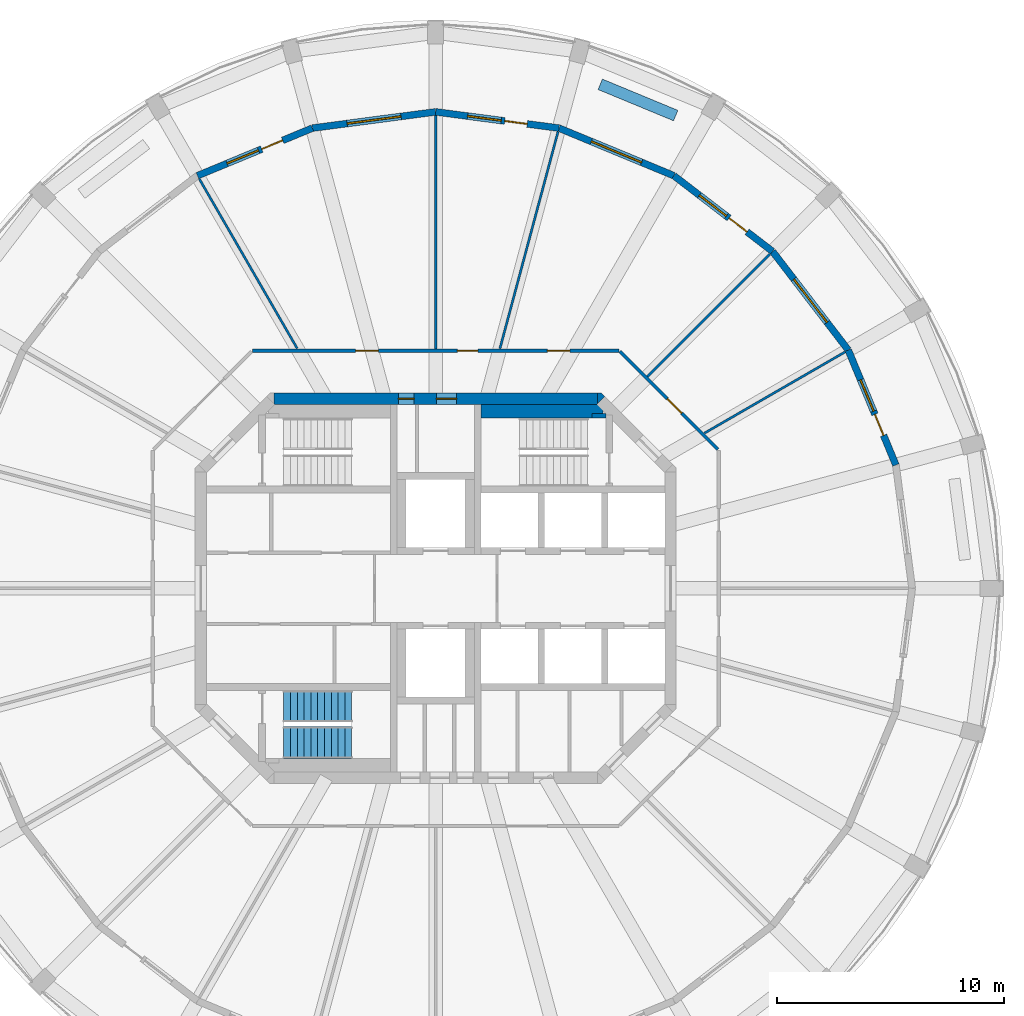
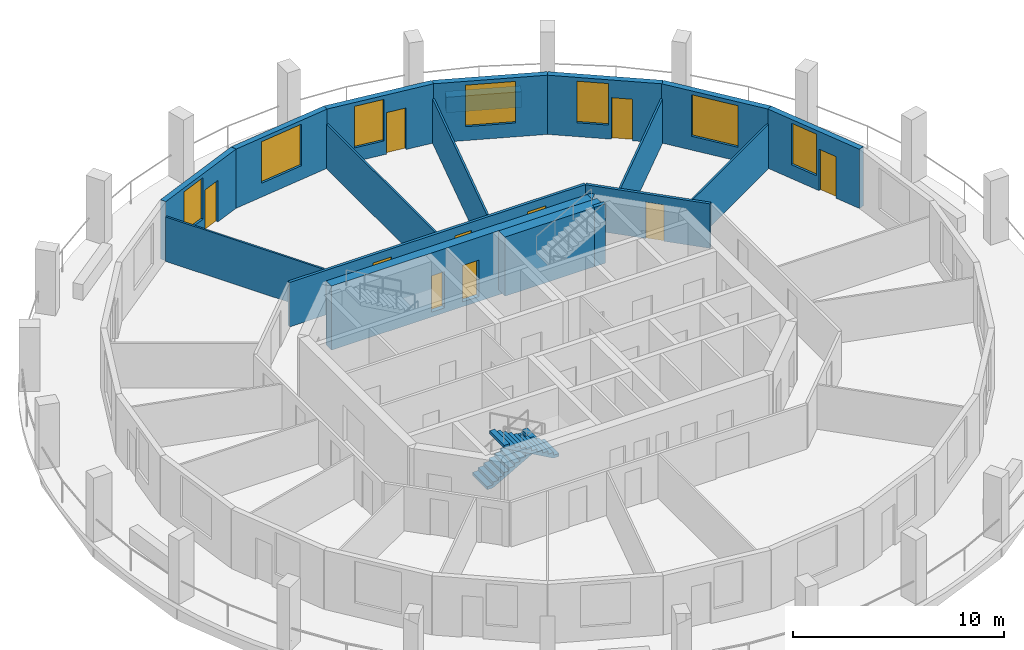
# One storey, part 6 of 9: 19 walls, 10 doors, 7 windows, 2 stair flights, 17 openings, 1 element without a shape of its own.
"""IFC4 building model written with IfcOpenShell, lengths in metres."""

from ifc_helpers import new_model, si_unit, direction, frame, frame_2d, origin, place, context, subcontext, project, spatial, polyline, rectangle, outline, extrude, material, layer, layer_set, type_object, element, fill, aggregate, save


model = new_model("IFC4")

# Units and contexts
model_context = context("Model", 3, precision=1e-05, world=origin(), true_north=direction((0.0, 1.0)))
body_context = subcontext(model_context, "Body", "Model", "MODEL_VIEW")
ifc_project = project(units=[si_unit("LENGTHUNIT", "METRE"), si_unit("AREAUNIT", "SQUARE_METRE"), si_unit("VOLUMEUNIT", "CUBIC_METRE"), si_unit("PLANEANGLEUNIT", "RADIAN"), si_unit("MASSUNIT", "GRAM", prefix="KILO")], contexts=[model_context])

# Site, building, storey
site_placement = place(None, origin())
site = spatial("IfcSite", under=ifc_project, at=site_placement, CompositionType="ELEMENT")
building_placement = place(site_placement, origin())
building = spatial("IfcBuilding", under=site, at=building_placement, Name="Torre Triforio", CompositionType="ELEMENT")
storey_placement = place(building_placement, frame((0.0, 0.0, 264.89990234375)))
storey = spatial("IfcBuildingStorey", under=building, at=storey_placement, Name="L61", CompositionType="ELEMENT", Elevation=264.89990234375)

# Wall, openings, doors
ifc_material_1 = material(Name="Concrete C40", Category="concrete")
ifc_layer_1 = layer(ifc_material_1, 0.5)
ifc_layer_set_1 = layer_set([ifc_layer_1], Name="Concrete C40")
wall_type_1 = type_object("IfcWallType", Name="Core wall 500 mm C40 EI 120", PredefinedType="SHEAR", material=ifc_layer_set_1)
wall_1_placement = place(storey_placement, frame((-7.1298828125, 8.35009765625, -0.27978515625), z_axis=(0.0, 0.0, 1.0), x_axis=(1.0, 0.0, 0.0)))
wall_1 = element("IfcWall", 1, at=wall_1_placement, inside=storey, type_object=wall_type_1, Name="Core wall", PredefinedType="SHEAR", context=body_context, shape_type="SweptSolid", body=[
    extrude(rectangle(XDim=14.259765625, YDim=0.5, at=frame_2d((7.1298828125, 0.0))), origin(), (0.0, 0.0, 1.0), 3.699951171875),
])
opening_1_placement = place(wall_1_placement, frame((5.47998046875, 0.0, 0.280029296875)))
opening_1 = element("IfcOpeningElement", 2, at=opening_1_placement, cuts=wall_1, Name="Opening RISER-N", PredefinedType="OPENING", context=body_context, shape_type="SweptSolid", body=[
    extrude(rectangle(XDim=0.699951171875, YDim=2.10009765625, at=frame_2d((0.35009765625, 1.050048828125))), frame((0.0, 0.260009765625, 0.0), z_axis=(0.0, -1.0, 0.0), x_axis=(1.0, 0.0, 0.0)), (0.0, 0.0, 1.0), 0.52001953125),
])
opening_2_placement = place(wall_1_placement, frame((7.155029296875, 0.0, 0.280029296875)))
opening_2 = element("IfcOpeningElement", 3, at=opening_2_placement, cuts=wall_1, Name="Opening NE-01", PredefinedType="OPENING", context=body_context, shape_type="SweptSolid", body=[
    extrude(rectangle(XDim=0.89990234375, YDim=2.10009765625, at=frame_2d((0.449951171875, 1.050048828125))), frame((0.0, 0.260009765625, 0.0), z_axis=(0.0, -1.0, 0.0), x_axis=(1.0, 0.0, 0.0)), (0.0, 0.0, 1.0), 0.52001953125),
])
ifc_material_2 = material(Name="Hollow metal fire door leaf")
door_type_1 = type_object("IfcDoorType", Name="Riser door 700 x 2100 EI 60", OperationType="NOTDEFINED", PredefinedType="DOOR", material=ifc_material_2)
door_1_placement = place(opening_1_placement, origin())
door_1 = element("IfcDoor", 4, at=door_1_placement, inside=storey, type_object=door_type_1, Name="Core door RISER-N", OperationType="SINGLE_SWING_LEFT", OverallHeight=2.10009765625, OverallWidth=0.699951171875, PredefinedType="DOOR", context=body_context, shape_type="SweptSolid", body=[
    extrude(rectangle(XDim=0.699951171875, YDim=2.10009765625, at=frame_2d((0.35009765625, 1.050048828125))), frame((0.0, 0.02490234375, 0.0), z_axis=(0.0, -1.0, 0.0), x_axis=(1.0, 0.0, 0.0)), (0.0, 0.0, 1.0), 0.050048828125),
])
fill(opening_1, door_1)
door_type_2 = type_object("IfcDoorType", Name="Room door 900 x 2100 EI 60", OperationType="NOTDEFINED", PredefinedType="DOOR", material=ifc_material_2)
door_2_placement = place(opening_2_placement, origin())
door_2 = element("IfcDoor", 5, at=door_2_placement, inside=storey, type_object=door_type_2, Name="Core door NE-01", OperationType="SINGLE_SWING_RIGHT", OverallHeight=2.10009765625, OverallWidth=0.89990234375, PredefinedType="DOOR", context=body_context, shape_type="SweptSolid", body=[
    extrude(rectangle(XDim=0.89990234375, YDim=2.10009765625, at=frame_2d((0.449951171875, 1.050048828125))), frame((0.0, 0.02490234375, 0.0), z_axis=(0.0, -1.0, 0.0), x_axis=(1.0, 0.0, 0.0)), (0.0, 0.0, 1.0), 0.050048828125),
])
fill(opening_2, door_2)

# Wall
wall_2_placement = place(storey_placement, frame((0.0, 0.0, -0.27978515625)))
element("IfcWall", 6, at=wall_2_placement, inside=storey, type_object=wall_type_1, Name="Core wall", PredefinedType="SHEAR", context=body_context, shape_type="SweptSolid", body=[
    extrude(outline(polyline([(7.30712890625, 8.60009765625), (7.45361328125, 8.45361328125), (7.1298828125, 8.1298828125), (7.1298828125, 8.60009765625), (7.30712890625, 8.60009765625)])), origin(), (0.0, 0.0, 1.0), 3.699951171875),
])

# Wall, openings, doors
ifc_material_3 = material(Name="Plasterboard on metal studs")
ifc_layer_2 = layer(ifc_material_3, 0.14990234375)
ifc_layer_set_2 = layer_set([ifc_layer_2], Name="Plasterboard on metal studs")
wall_type_2 = type_object("IfcWallType", Name="Corridor and tenancy wall 150 mm EI 60", PredefinedType="PARTITIONING", material=ifc_layer_set_2)
wall_3_placement = place(storey_placement, frame((-8.083740234375, 10.47509765625, 0.0), z_axis=(0.0, 0.0, 1.0), x_axis=(1.0, 0.0, 0.0)))
wall_3 = element("IfcWall", 7, at=wall_3_placement, inside=storey, type_object=wall_type_2, Name="Partition 6", PredefinedType="PARTITIONING", context=body_context, shape_type="SweptSolid", body=[
    extrude(rectangle(XDim=16.16748046875, YDim=0.14990234375, at=frame_2d((8.083740234375, 0.0))), origin(), (0.0, 0.0, 1.0), 2.570068359375),
])
opening_3_placement = place(wall_3_placement, frame((13.00390625, 0.0, 0.0)))
opening_3 = element("IfcOpeningElement", 8, at=opening_3_placement, cuts=wall_3, Name="Opening E2-09", PredefinedType="OPENING", context=body_context, shape_type="SweptSolid", body=[
    extrude(rectangle(XDim=1.0, YDim=2.10009765625, at=frame_2d((0.5, 1.050048828125))), frame((0.0, 0.0849609375, 0.0), z_axis=(0.0, -1.0, 0.0), x_axis=(1.0, 0.0, 0.0)), (0.0, 0.0, 1.0), 0.169921875),
])
opening_4_placement = place(wall_3_placement, frame((9.0380859375, 0.0, 0.0)))
opening_4 = element("IfcOpeningElement", 9, at=opening_4_placement, cuts=wall_3, Name="Opening E2-10", PredefinedType="OPENING", context=body_context, shape_type="SweptSolid", body=[
    extrude(rectangle(XDim=0.89990234375, YDim=2.10009765625, at=frame_2d((0.449951171875, 1.050048828125))), frame((0.0, 0.0849609375, 0.0), z_axis=(0.0, -1.0, 0.0), x_axis=(1.0, 0.0, 0.0)), (0.0, 0.0, 1.0), 0.169921875),
])
opening_5_placement = place(wall_3_placement, frame((4.555908203125, 0.0, 0.0)))
opening_5 = element("IfcOpeningElement", 10, at=opening_5_placement, cuts=wall_3, Name="Opening E2-11", PredefinedType="OPENING", context=body_context, shape_type="SweptSolid", body=[
    extrude(rectangle(XDim=1.0, YDim=2.10009765625, at=frame_2d((0.5, 1.050048828125))), frame((0.0, 0.0849609375, 0.0), z_axis=(0.0, -1.0, 0.0), x_axis=(1.0, 0.0, 0.0)), (0.0, 0.0, 1.0), 0.169921875),
])
ifc_material_4 = material(Name="Timber", Category="wood")
door_type_3 = type_object("IfcDoorType", Name="Door 1000 x 2100 single leaf EI 30", OperationType="NOTDEFINED", PredefinedType="DOOR", material=ifc_material_4)
door_3_placement = place(opening_3_placement, origin())
door_3 = element("IfcDoor", 11, at=door_3_placement, inside=storey, type_object=door_type_3, Name="Door E2-09", OperationType="SINGLE_SWING_LEFT", OverallHeight=2.10009765625, OverallWidth=1.0, PredefinedType="DOOR", context=body_context, shape_type="SweptSolid", body=[
    extrude(rectangle(XDim=1.0, YDim=2.10009765625, at=frame_2d((0.5, 1.050048828125))), frame((0.0, 0.02490234375, 0.0), z_axis=(0.0, -1.0, 0.0), x_axis=(1.0, 0.0, 0.0)), (0.0, 0.0, 1.0), 0.050048828125),
])
fill(opening_3, door_3)
door_4_placement = place(opening_5_placement, origin())
door_4 = element("IfcDoor", 12, at=door_4_placement, inside=storey, type_object=door_type_3, Name="Door E2-11", OperationType="SINGLE_SWING_LEFT", OverallHeight=2.10009765625, OverallWidth=1.0, PredefinedType="DOOR", context=body_context, shape_type="SweptSolid", body=[
    extrude(rectangle(XDim=1.0, YDim=2.10009765625, at=frame_2d((0.5, 1.050048828125))), frame((0.0, 0.02490234375, 0.0), z_axis=(0.0, -1.0, 0.0), x_axis=(1.0, 0.0, 0.0)), (0.0, 0.0, 1.0), 0.050048828125),
])
fill(opening_5, door_4)
door_type_4 = type_object("IfcDoorType", Name="Door 900 x 2100 single leaf EI 30", OperationType="NOTDEFINED", PredefinedType="DOOR", material=ifc_material_4)
door_5_placement = place(opening_4_placement, origin())
door_5 = element("IfcDoor", 13, at=door_5_placement, inside=storey, type_object=door_type_4, Name="Door E2-10", OperationType="SINGLE_SWING_LEFT", OverallHeight=2.10009765625, OverallWidth=0.89990234375, PredefinedType="DOOR", context=body_context, shape_type="SweptSolid", body=[
    extrude(rectangle(XDim=0.89990234375, YDim=2.10009765625, at=frame_2d((0.449951171875, 1.050048828125))), frame((0.0, 0.02490234375, 0.0), z_axis=(0.0, -1.0, 0.0), x_axis=(1.0, 0.0, 0.0)), (0.0, 0.0, 1.0), 0.050048828125),
])
fill(opening_4, door_5)

# Wall, opening, door
wall_4_placement = place(storey_placement, frame((8.120849609375, 10.43798828125, 0.0), z_axis=(0.0, 0.0, 1.0), x_axis=(0.707106781187, -0.707106781187, 0.0)))
wall_4 = element("IfcWall", 14, at=wall_4_placement, inside=storey, type_object=wall_type_2, Name="Partition 7", PredefinedType="PARTITIONING", context=body_context, shape_type="SweptSolid", body=[
    extrude(rectangle(XDim=6.10546875, YDim=0.14990234375, at=frame_2d((3.052734375, 0.0))), origin(), (0.0, 0.0, 1.0), 2.570068359375),
])
opening_6_placement = place(wall_4_placement, frame((2.947509765625, 0.0, 0.0)))
opening_6 = element("IfcOpeningElement", 15, at=opening_6_placement, cuts=wall_4, Name="Opening E2-08", PredefinedType="OPENING", context=body_context, shape_type="SweptSolid", body=[
    extrude(rectangle(XDim=0.89990234375, YDim=2.10009765625, at=frame_2d((0.449951171875, 1.050048828125))), frame((0.0, 0.0849609375, 0.0), z_axis=(0.0, -1.0, 0.0), x_axis=(1.0, 0.0, 0.0)), (0.0, 0.0, 1.0), 0.169921875),
])
door_6_placement = place(opening_6_placement, origin())
door_6 = element("IfcDoor", 16, at=door_6_placement, inside=storey, type_object=door_type_4, Name="Door E2-08", OperationType="SINGLE_SWING_LEFT", OverallHeight=2.10009765625, OverallWidth=0.89990234375, PredefinedType="DOOR", context=body_context, shape_type="SweptSolid", body=[
    extrude(rectangle(XDim=0.89990234375, YDim=2.10009765625, at=frame_2d((0.449951171875, 1.050048828125))), frame((0.0, 0.02490234375, 0.0), z_axis=(0.0, -1.0, 0.0), x_axis=(1.0, 0.0, 0.0)), (0.0, 0.0, 1.0), 0.050048828125),
])
fill(opening_6, door_6)

# Walls
ifc_layer_3 = layer(ifc_material_3, 0.10009765625)
ifc_layer_set_3 = layer_set([ifc_layer_3], Name="Plasterboard on metal studs")
wall_type_3 = type_object("IfcWallType", Name="Partition 100 mm board on metal studs", PredefinedType="PARTITIONING", material=ifc_layer_set_3)
wall_5_placement = place(storey_placement, frame((11.845947265625, 6.839111328125, 0.0), z_axis=(0.0, 0.0, 1.0), x_axis=(0.866011787705, 0.500023583, 0.0)))
element("IfcWall", 17, at=wall_5_placement, inside=storey, type_object=wall_type_3, Name="Partition 10", PredefinedType="PARTITIONING", context=body_context, shape_type="SweptSolid", body=[
    extrude(rectangle(XDim=7.158447265625, YDim=0.10009765625, at=frame_2d((3.5791015625, 0.0))), origin(), (0.0, 0.0, 1.0), 2.570068359375),
])
wall_6_placement = place(storey_placement, frame((9.33251953125, 9.33251953125, 0.0), z_axis=(0.0, 0.0, 1.0), x_axis=(0.707106781187, 0.707106781187, 0.0)))
element("IfcWall", 18, at=wall_6_placement, inside=storey, type_object=wall_type_3, Name="Partition 11", PredefinedType="PARTITIONING", context=body_context, shape_type="SweptSolid", body=[
    extrude(rectangle(XDim=7.638671875, YDim=0.10009765625, at=frame_2d((3.8193359375, 0.0))), origin(), (0.0, 0.0, 1.0), 2.570068359375),
])
wall_7_placement = place(storey_placement, frame((2.830810546875, 10.564208984375, 0.0), z_axis=(0.0, 0.0, 1.0), x_axis=(0.258795254151, 0.965932200741, 0.0)))
element("IfcWall", 19, at=wall_7_placement, inside=storey, type_object=wall_type_3, Name="Partition 12", PredefinedType="PARTITIONING", context=body_context, shape_type="SweptSolid", body=[
    extrude(rectangle(XDim=9.899658203125, YDim=0.10009765625, at=frame_2d((4.94970703125, 0.0))), origin(), (0.0, 0.0, 1.0), 2.570068359375),
])
wall_8_placement = place(storey_placement, frame((0.0, 10.550048828125, 0.0), z_axis=(0.0, 0.0, 1.0), x_axis=(0.0, 1.0, 0.0)))
element("IfcWall", 20, at=wall_8_placement, inside=storey, type_object=wall_type_3, Name="Partition 13", PredefinedType="PARTITIONING", context=body_context, shape_type="SweptSolid", body=[
    extrude(rectangle(XDim=10.28662109375, YDim=0.10009765625, at=frame_2d((5.143310546875, 0.0))), origin(), (0.0, 0.0, 1.0), 2.570068359375),
])
wall_9_placement = place(storey_placement, frame((-6.105224609375, 10.57470703125, 0.0), z_axis=(0.0, 0.0, 1.0), x_axis=(-0.50001399067, 0.866017326117, 0.0)))
element("IfcWall", 21, at=wall_9_placement, inside=storey, type_object=wall_type_3, Name="Partition 14", PredefinedType="PARTITIONING", context=body_context, shape_type="SweptSolid", body=[
    extrude(rectangle(XDim=8.626220703125, YDim=0.10009765625, at=frame_2d((4.31298828125, 0.0))), origin(), (0.0, 0.0, 1.0), 2.570068359375),
])
ifc_material_5 = material(Name="Limestone cladding", Category="masonry")
ifc_layer_4 = layer(ifc_material_5, 0.10009765625)
ifc_layer_5 = layer(ifc_material_1, 0.39990234375)
ifc_layer_set_4 = layer_set([ifc_layer_4, ifc_layer_5], Name="Limestone cladding / Concrete C40")
wall_type_4 = type_object("IfcWallType", Name="Planter wall 500", PredefinedType="PARAPET", material=ifc_layer_set_4)
wall_10_placement = place(storey_placement, frame((10.57958984375, 20.837646484375, 0.0), z_axis=(0.0, 0.0, 1.0), x_axis=(-0.923909393783, 0.382611332921, 0.0)))
element("IfcWall", 22, at=wall_10_placement, inside=storey, type_object=wall_type_4, Name="Planter L61 bay 05", PredefinedType="PARAPET", context=body_context, shape_type="SweptSolid", body=[
    extrude(rectangle(XDim=3.60009765625, YDim=0.5, at=frame_2d((1.800048828125, 0.0))), origin(), (0.0, 0.0, 1.0), 0.900146484375),
])
ifc_layer_6 = layer(ifc_material_1, 0.199951171875)
ifc_layer_set_5 = layer_set([ifc_layer_6], Name="Concrete C40")
wall_type_5 = type_object("IfcWallType", Name="Stair wall 200 mm C40 EI 120", PredefinedType="SHEAR", material=ifc_layer_set_5)
wall_11_placement = place(storey_placement, frame((6.89990234375, 7.60009765625, 0.0), z_axis=(0.0, 0.0, 1.0), x_axis=(1.0, 0.0, 0.0)))
element("IfcWall", 23, at=wall_11_placement, inside=storey, type_object=wall_type_5, Name="Stair wall", PredefinedType="SHEAR", context=body_context, shape_type="SweptSolid", body=[
    extrude(rectangle(XDim=0.60009765625, YDim=0.199951171875, at=frame_2d((0.300048828125, 0.0))), origin(), (0.0, 0.0, 1.0), 3.420166015625),
])
ifc_layer_7 = layer(ifc_material_1, 0.60009765625)
ifc_layer_set_6 = layer_set([ifc_layer_7], Name="Concrete C40")
wall_type_6 = type_object("IfcWallType", Name="Stair wall 600 mm C40 EI 120", PredefinedType="SHEAR", material=ifc_layer_set_6)
wall_12_placement = place(storey_placement, frame((2.0, 7.800048828125, 0.0), z_axis=(0.0, 0.0, 1.0), x_axis=(1.0, 0.0, 0.0)))
element("IfcWall", 24, at=wall_12_placement, inside=storey, type_object=wall_type_6, Name="Stair wall", PredefinedType="SHEAR", context=body_context, shape_type="SweptSolid", body=[
    extrude(rectangle(XDim=5.3701171875, YDim=0.60009765625, at=frame_2d((2.68505859375, 0.0))), origin(), (0.0, 0.0, 1.0), 3.420166015625),
])

# Wall, openings, door, window
ifc_layer_8 = layer(ifc_material_5, 0.10009765625)
ifc_layer_9 = layer(ifc_material_1, 0.199951171875)
ifc_layer_set_7 = layer_set([ifc_layer_8, ifc_layer_9], Name="Limestone cladding / Concrete C40")
wall_type_7 = type_object("IfcWallType", Name="Stone-faced composite wall 300", PredefinedType="STANDARD", material=ifc_layer_set_7)
wall_13_placement = place(storey_placement, frame((20.284423828125, 5.435302734375, 0.0), z_axis=(0.0, 0.0, 1.0), x_axis=(-0.382688740813, 0.923877333662, 0.0)))
wall_13 = element("IfcWall", 25, at=wall_13_placement, inside=storey, type_object=wall_type_7, Name="External wall L61 bay 02", PredefinedType="STANDARD", context=body_context, shape_type="SweptSolid", body=[
    extrude(rectangle(XDim=5.48193359375, YDim=0.300048828125, at=frame_2d((2.740966796875, 0.0))), origin(), (0.0, 0.0, 1.0), 3.420166015625),
])
opening_7_placement = place(wall_13_placement, frame((1.416015625, 0.0, 0.0)))
opening_7 = element("IfcOpeningElement", 26, at=opening_7_placement, cuts=wall_13, Name="Opening E2-D02", PredefinedType="OPENING", context=body_context, shape_type="SweptSolid", body=[
    extrude(rectangle(XDim=1.0, YDim=2.39990234375, at=frame_2d((0.5, 1.199951171875))), frame((0.0, 0.159912109375, 0.0), z_axis=(0.0, -1.0, 0.0), x_axis=(1.0, 0.0, 0.0)), (0.0, 0.0, 1.0), 0.320068359375),
])
opening_8_placement = place(wall_13_placement, frame((2.566162109375, 0.0, 0.800048828125)))
opening_8 = element("IfcOpeningElement", 27, at=opening_8_placement, cuts=wall_13, Name="Opening E2-W02A", PredefinedType="OPENING", context=body_context, shape_type="SweptSolid", body=[
    extrude(rectangle(XDim=1.5, YDim=2.39990234375, at=frame_2d((0.75, 1.199951171875))), frame((0.0, 0.159912109375, 0.0), z_axis=(0.0, -1.0, 0.0), x_axis=(1.0, 0.0, 0.0)), (0.0, 0.0, 1.0), 0.320068359375),
])
ifc_material_6 = material(Name="Aluminium frame with clear double glazing", Category="aluminium")
door_type_5 = type_object("IfcDoorType", Name="Loggia door 1000 x 2400", OperationType="NOTDEFINED", PredefinedType="DOOR", material=ifc_material_6)
door_7_placement = place(opening_7_placement, origin())
door_7 = element("IfcDoor", 28, at=door_7_placement, inside=storey, type_object=door_type_5, Name="Loggia door L61 bay 02", OperationType="SINGLE_SWING_LEFT", OverallHeight=2.39990234375, OverallWidth=1.0, PredefinedType="DOOR", context=body_context, shape_type="SweptSolid", body=[
    extrude(rectangle(XDim=1.0, YDim=2.39990234375, at=frame_2d((0.5, 1.199951171875))), frame((0.0, 0.02490234375, 0.0), z_axis=(0.0, -1.0, 0.0), x_axis=(1.0, 0.0, 0.0)), (0.0, 0.0, 1.0), 0.050048828125),
])
fill(opening_7, door_7)
window_type_1 = type_object("IfcWindowType", Name="Side window 1500 x 2400", PartitioningType="SINGLE_PANEL", PredefinedType="WINDOW", material=ifc_material_6)
window_1_placement = place(opening_8_placement, origin())
window_1 = element("IfcWindow", 29, at=window_1_placement, inside=storey, type_object=window_type_1, Name="Side window EWN14 L61 bay 02", OverallHeight=2.39990234375, OverallWidth=1.5, PartitioningType="SINGLE_PANEL", PredefinedType="WINDOW", context=body_context, shape_type="SweptSolid", body=[
    extrude(rectangle(XDim=1.5, YDim=2.39990234375, at=frame_2d((0.75, 1.199951171875))), frame((0.0, 0.030029296875, 0.0), z_axis=(0.0, -1.0, 0.0), x_axis=(1.0, 0.0, 0.0)), (0.0, 0.0, 1.0), 0.06005859375),
])
fill(opening_8, window_1)

# Wall, opening, window
wall_14_placement = place(storey_placement, frame((18.1865234375, 10.5, 0.0), z_axis=(0.0, 0.0, 1.0), x_axis=(-0.608784891166, 0.793335336593, 0.0)))
wall_14 = element("IfcWall", 30, at=wall_14_placement, inside=storey, type_object=wall_type_7, Name="External wall L61 bay 03", PredefinedType="STANDARD", context=body_context, shape_type="SweptSolid", body=[
    extrude(rectangle(XDim=5.482177734375, YDim=0.300048828125, at=frame_2d((2.7412109375, 0.0))), origin(), (0.0, 0.0, 1.0), 3.420166015625),
])
opening_9_placement = place(wall_14_placement, frame((1.541015625, 0.0, 0.800048828125)))
opening_9 = element("IfcOpeningElement", 31, at=opening_9_placement, cuts=wall_14, Name="Opening E2-W03", PredefinedType="OPENING", context=body_context, shape_type="SweptSolid", body=[
    extrude(rectangle(XDim=2.39990234375, YDim=2.39990234375, at=frame_2d((1.199951171875, 1.199951171875))), frame((0.0, 0.159912109375, 0.0), z_axis=(0.0, -1.0, 0.0), x_axis=(1.0, 0.0, 0.0)), (0.0, 0.0, 1.0), 0.320068359375),
])
window_type_2 = type_object("IfcWindowType", Name="Punched window 2400 x 2400", PartitioningType="DOUBLE_PANEL_VERTICAL", PredefinedType="WINDOW", material=ifc_material_6)
window_2_placement = place(opening_9_placement, origin())
window_2 = element("IfcWindow", 32, at=window_2_placement, inside=storey, type_object=window_type_2, Name="Window EWN4 L61 bay 03", OverallHeight=2.39990234375, OverallWidth=2.39990234375, PartitioningType="SINGLE_PANEL", PredefinedType="WINDOW", context=body_context, shape_type="SweptSolid", body=[
    extrude(rectangle(XDim=2.39990234375, YDim=2.39990234375, at=frame_2d((1.199951171875, 1.199951171875))), frame((0.0, 0.030029296875, 0.0), z_axis=(0.0, -1.0, 0.0), x_axis=(1.0, 0.0, 0.0)), (0.0, 0.0, 1.0), 0.06005859375),
])
fill(opening_9, window_2)

# Wall, openings, door, window
wall_15_placement = place(storey_placement, frame((14.84912109375, 14.84912109375, 0.0), z_axis=(0.0, 0.0, 1.0), x_axis=(-0.793335336593, 0.608784891166, 0.0)))
wall_15 = element("IfcWall", 33, at=wall_15_placement, inside=storey, type_object=wall_type_7, Name="External wall L61 bay 04", PredefinedType="STANDARD", context=body_context, shape_type="SweptSolid", body=[
    extrude(rectangle(XDim=5.482177734375, YDim=0.300048828125, at=frame_2d((2.7412109375, 0.0))), origin(), (0.0, 0.0, 1.0), 3.420166015625),
])
opening_10_placement = place(wall_15_placement, frame((1.416015625, 0.0, 0.0)))
opening_10 = element("IfcOpeningElement", 34, at=opening_10_placement, cuts=wall_15, Name="Opening E2-D04", PredefinedType="OPENING", context=body_context, shape_type="SweptSolid", body=[
    extrude(rectangle(XDim=1.0, YDim=2.39990234375, at=frame_2d((0.5, 1.199951171875))), frame((0.0, 0.159912109375, 0.0), z_axis=(0.0, -1.0, 0.0), x_axis=(1.0, 0.0, 0.0)), (0.0, 0.0, 1.0), 0.320068359375),
])
opening_11_placement = place(wall_15_placement, frame((2.56591796875, 0.0, 0.800048828125)))
opening_11 = element("IfcOpeningElement", 35, at=opening_11_placement, cuts=wall_15, Name="Opening E2-W04A", PredefinedType="OPENING", context=body_context, shape_type="SweptSolid", body=[
    extrude(rectangle(XDim=1.5, YDim=2.39990234375, at=frame_2d((0.75, 1.199951171875))), frame((0.0, 0.159912109375, 0.0), z_axis=(0.0, -1.0, 0.0), x_axis=(1.0, 0.0, 0.0)), (0.0, 0.0, 1.0), 0.320068359375),
])
door_8_placement = place(opening_10_placement, origin())
door_8 = element("IfcDoor", 36, at=door_8_placement, inside=storey, type_object=door_type_5, Name="Loggia door L61 bay 04", OperationType="SINGLE_SWING_LEFT", OverallHeight=2.39990234375, OverallWidth=1.0, PredefinedType="DOOR", context=body_context, shape_type="SweptSolid", body=[
    extrude(rectangle(XDim=1.0, YDim=2.39990234375, at=frame_2d((0.5, 1.199951171875))), frame((0.0, 0.02490234375, 0.0), z_axis=(0.0, -1.0, 0.0), x_axis=(1.0, 0.0, 0.0)), (0.0, 0.0, 1.0), 0.050048828125),
])
fill(opening_10, door_8)
window_3_placement = place(opening_11_placement, origin())
window_3 = element("IfcWindow", 37, at=window_3_placement, inside=storey, type_object=window_type_1, Name="Side window EWN14 L61 bay 04", OverallHeight=2.39990234375, OverallWidth=1.5, PartitioningType="SINGLE_PANEL", PredefinedType="WINDOW", context=body_context, shape_type="SweptSolid", body=[
    extrude(rectangle(XDim=1.5, YDim=2.39990234375, at=frame_2d((0.75, 1.199951171875))), frame((0.0, 0.030029296875, 0.0), z_axis=(0.0, -1.0, 0.0), x_axis=(1.0, 0.0, 0.0)), (0.0, 0.0, 1.0), 0.06005859375),
])
fill(opening_11, window_3)

# Wall, opening, window
wall_16_placement = place(storey_placement, frame((10.5, 18.1865234375, 0.0), z_axis=(0.0, 0.0, 1.0), x_axis=(-0.923877333662, 0.382688740813, 0.0)))
wall_16 = element("IfcWall", 38, at=wall_16_placement, inside=storey, type_object=wall_type_7, Name="External wall L61 bay 05", PredefinedType="STANDARD", context=body_context, shape_type="SweptSolid", body=[
    extrude(rectangle(XDim=5.48193359375, YDim=0.300048828125, at=frame_2d((2.740966796875, 0.0))), origin(), (0.0, 0.0, 1.0), 3.420166015625),
])
opening_12_placement = place(wall_16_placement, frame((1.541015625, 0.0, 0.800048828125)))
opening_12 = element("IfcOpeningElement", 39, at=opening_12_placement, cuts=wall_16, Name="Opening E2-W05", PredefinedType="OPENING", context=body_context, shape_type="SweptSolid", body=[
    extrude(rectangle(XDim=2.39990234375, YDim=2.39990234375, at=frame_2d((1.199951171875, 1.199951171875))), frame((0.0, 0.159912109375, 0.0), z_axis=(0.0, -1.0, 0.0), x_axis=(1.0, 0.0, 0.0)), (0.0, 0.0, 1.0), 0.320068359375),
])
window_4_placement = place(opening_12_placement, origin())
window_4 = element("IfcWindow", 40, at=window_4_placement, inside=storey, type_object=window_type_2, Name="Window EWN4 L61 bay 05", OverallHeight=2.39990234375, OverallWidth=2.39990234375, PartitioningType="SINGLE_PANEL", PredefinedType="WINDOW", context=body_context, shape_type="SweptSolid", body=[
    extrude(rectangle(XDim=2.39990234375, YDim=2.39990234375, at=frame_2d((1.199951171875, 1.199951171875))), frame((0.0, 0.030029296875, 0.0), z_axis=(0.0, -1.0, 0.0), x_axis=(1.0, 0.0, 0.0)), (0.0, 0.0, 1.0), 0.06005859375),
])
fill(opening_12, window_4)

# Wall, openings, door, window
wall_17_placement = place(storey_placement, frame((5.435302734375, 20.284423828125, 0.0), z_axis=(0.0, 0.0, 1.0), x_axis=(-0.991444743541, 0.130527087244, 0.0)))
wall_17 = element("IfcWall", 41, at=wall_17_placement, inside=storey, type_object=wall_type_7, Name="External wall L61 bay 06", PredefinedType="STANDARD", context=body_context, shape_type="SweptSolid", body=[
    extrude(rectangle(XDim=5.482177734375, YDim=0.300048828125, at=frame_2d((2.7412109375, 0.0))), origin(), (0.0, 0.0, 1.0), 3.420166015625),
])
opening_13_placement = place(wall_17_placement, frame((1.416015625, 0.0, 0.0)))
opening_13 = element("IfcOpeningElement", 42, at=opening_13_placement, cuts=wall_17, Name="Opening E2-D06", PredefinedType="OPENING", context=body_context, shape_type="SweptSolid", body=[
    extrude(rectangle(XDim=1.0, YDim=2.39990234375, at=frame_2d((0.5, 1.199951171875))), frame((0.0, 0.159912109375, 0.0), z_axis=(0.0, -1.0, 0.0), x_axis=(1.0, 0.0, 0.0)), (0.0, 0.0, 1.0), 0.320068359375),
])
opening_14_placement = place(wall_17_placement, frame((2.566162109375, 0.0, 0.800048828125)))
opening_14 = element("IfcOpeningElement", 43, at=opening_14_placement, cuts=wall_17, Name="Opening E2-W06A", PredefinedType="OPENING", context=body_context, shape_type="SweptSolid", body=[
    extrude(rectangle(XDim=1.5, YDim=2.39990234375, at=frame_2d((0.75, 1.199951171875))), frame((0.0, 0.159912109375, 0.0), z_axis=(0.0, -1.0, 0.0), x_axis=(1.0, 0.0, 0.0)), (0.0, 0.0, 1.0), 0.320068359375),
])
door_9_placement = place(opening_13_placement, origin())
door_9 = element("IfcDoor", 44, at=door_9_placement, inside=storey, type_object=door_type_5, Name="Loggia door L61 bay 06", OperationType="SINGLE_SWING_LEFT", OverallHeight=2.39990234375, OverallWidth=1.0, PredefinedType="DOOR", context=body_context, shape_type="SweptSolid", body=[
    extrude(rectangle(XDim=1.0, YDim=2.39990234375, at=frame_2d((0.5, 1.199951171875))), frame((0.0, 0.02490234375, 0.0), z_axis=(0.0, -1.0, 0.0), x_axis=(1.0, 0.0, 0.0)), (0.0, 0.0, 1.0), 0.050048828125),
])
fill(opening_13, door_9)
window_5_placement = place(opening_14_placement, origin())
window_5 = element("IfcWindow", 45, at=window_5_placement, inside=storey, type_object=window_type_1, Name="Side window EWN14 L61 bay 06", OverallHeight=2.39990234375, OverallWidth=1.5, PartitioningType="SINGLE_PANEL", PredefinedType="WINDOW", context=body_context, shape_type="SweptSolid", body=[
    extrude(rectangle(XDim=1.5, YDim=2.39990234375, at=frame_2d((0.75, 1.199951171875))), frame((0.0, 0.030029296875, 0.0), z_axis=(0.0, -1.0, 0.0), x_axis=(1.0, 0.0, 0.0)), (0.0, 0.0, 1.0), 0.06005859375),
])
fill(opening_14, window_5)

# Wall, opening, window
wall_18_placement = place(storey_placement, frame((0.0, 21.0, 0.0), z_axis=(0.0, 0.0, 1.0), x_axis=(-0.991444743541, -0.130527087244, 0.0)))
wall_18 = element("IfcWall", 46, at=wall_18_placement, inside=storey, type_object=wall_type_7, Name="External wall L61 bay 07", PredefinedType="STANDARD", context=body_context, shape_type="SweptSolid", body=[
    extrude(rectangle(XDim=5.482177734375, YDim=0.300048828125, at=frame_2d((2.7412109375, 0.0))), origin(), (0.0, 0.0, 1.0), 3.420166015625),
])
opening_15_placement = place(wall_18_placement, frame((1.541015625, 0.0, 0.800048828125)))
opening_15 = element("IfcOpeningElement", 47, at=opening_15_placement, cuts=wall_18, Name="Opening E2-W07", PredefinedType="OPENING", context=body_context, shape_type="SweptSolid", body=[
    extrude(rectangle(XDim=2.39990234375, YDim=2.39990234375, at=frame_2d((1.199951171875, 1.199951171875))), frame((0.0, 0.159912109375, 0.0), z_axis=(0.0, -1.0, 0.0), x_axis=(1.0, 0.0, 0.0)), (0.0, 0.0, 1.0), 0.320068359375),
])
window_6_placement = place(opening_15_placement, origin())
window_6 = element("IfcWindow", 48, at=window_6_placement, inside=storey, type_object=window_type_2, Name="Window EWN4 L61 bay 07", OverallHeight=2.39990234375, OverallWidth=2.39990234375, PartitioningType="SINGLE_PANEL", PredefinedType="WINDOW", context=body_context, shape_type="SweptSolid", body=[
    extrude(rectangle(XDim=2.39990234375, YDim=2.39990234375, at=frame_2d((1.199951171875, 1.199951171875))), frame((0.0, 0.030029296875, 0.0), z_axis=(0.0, -1.0, 0.0), x_axis=(1.0, 0.0, 0.0)), (0.0, 0.0, 1.0), 0.06005859375),
])
fill(opening_15, window_6)

# Wall, openings, door, window
wall_19_placement = place(storey_placement, frame((-5.435302734375, 20.284423828125, 0.0), z_axis=(0.0, 0.0, 1.0), x_axis=(-0.923877333662, -0.382688740813, 0.0)))
wall_19 = element("IfcWall", 49, at=wall_19_placement, inside=storey, type_object=wall_type_7, Name="External wall L61 bay 08", PredefinedType="STANDARD", context=body_context, shape_type="SweptSolid", body=[
    extrude(rectangle(XDim=5.48193359375, YDim=0.300048828125, at=frame_2d((2.740966796875, 0.0))), origin(), (0.0, 0.0, 1.0), 3.420166015625),
])
opening_16_placement = place(wall_19_placement, frame((1.416015625, 0.0, 0.0)))
opening_16 = element("IfcOpeningElement", 50, at=opening_16_placement, cuts=wall_19, Name="Opening E2-D08", PredefinedType="OPENING", context=body_context, shape_type="SweptSolid", body=[
    extrude(rectangle(XDim=1.0, YDim=2.39990234375, at=frame_2d((0.5, 1.199951171875))), frame((0.0, 0.159912109375, 0.0), z_axis=(0.0, -1.0, 0.0), x_axis=(1.0, 0.0, 0.0)), (0.0, 0.0, 1.0), 0.320068359375),
])
opening_17_placement = place(wall_19_placement, frame((2.566162109375, 0.0, 0.800048828125)))
opening_17 = element("IfcOpeningElement", 51, at=opening_17_placement, cuts=wall_19, Name="Opening E2-W08A", PredefinedType="OPENING", context=body_context, shape_type="SweptSolid", body=[
    extrude(rectangle(XDim=1.5, YDim=2.39990234375, at=frame_2d((0.75, 1.199951171875))), frame((0.0, 0.159912109375, 0.0), z_axis=(0.0, -1.0, 0.0), x_axis=(1.0, 0.0, 0.0)), (0.0, 0.0, 1.0), 0.320068359375),
])
door_10_placement = place(opening_16_placement, origin())
door_10 = element("IfcDoor", 52, at=door_10_placement, inside=storey, type_object=door_type_5, Name="Loggia door L61 bay 08", OperationType="SINGLE_SWING_LEFT", OverallHeight=2.39990234375, OverallWidth=1.0, PredefinedType="DOOR", context=body_context, shape_type="SweptSolid", body=[
    extrude(rectangle(XDim=1.0, YDim=2.39990234375, at=frame_2d((0.5, 1.199951171875))), frame((0.0, 0.02490234375, 0.0), z_axis=(0.0, -1.0, 0.0), x_axis=(1.0, 0.0, 0.0)), (0.0, 0.0, 1.0), 0.050048828125),
])
fill(opening_16, door_10)
window_7_placement = place(opening_17_placement, origin())
window_7 = element("IfcWindow", 53, at=window_7_placement, inside=storey, type_object=window_type_1, Name="Side window EWN14 L61 bay 08", OverallHeight=2.39990234375, OverallWidth=1.5, PartitioningType="SINGLE_PANEL", PredefinedType="WINDOW", context=body_context, shape_type="SweptSolid", body=[
    extrude(rectangle(XDim=1.5, YDim=2.39990234375, at=frame_2d((0.75, 1.199951171875))), frame((0.0, 0.030029296875, 0.0), z_axis=(0.0, -1.0, 0.0), x_axis=(1.0, 0.0, 0.0)), (0.0, 0.0, 1.0), 0.06005859375),
])
fill(opening_17, window_7)

# Stair, stair flights
stair_type = type_object("IfcStairType", Name="STAIR HALF-TURN", PredefinedType="HALF_TURN_STAIR", material=ifc_material_1)
stair_placement = place(storey_placement, origin())
stair = element("IfcStair", 54, at=stair_placement, inside=storey, type_object=stair_type, Name="Exit stair 3", PredefinedType="HALF_TURN_STAIR")
stair_flight_type = type_object("IfcStairFlightType", Name="STAIR FLIGHT 1400", PredefinedType="STRAIGHT", material=ifc_material_1)
stair_flight_1_placement = place(storey_placement, frame((-6.699951171875, -5.199951171875, 0.0), z_axis=(0.0, 0.0, 1.0), x_axis=(1.0, 0.0, 0.0)))
stair_flight_1 = element("IfcStairFlight", 55, at=stair_flight_1_placement, type_object=stair_flight_type, Name="ST3 flight 1", NumberOfRisers=11, NumberOfTreads=10, PredefinedType="STRAIGHT", RiserHeight=0.168181818, TreadLength=0.3, context=body_context, shape_type="SweptSolid", body=[
    extrude(outline(polyline([(0.0, 0.0), (0.0, 0.168212890625), (0.300048828125, 0.168212890625), (0.300048828125, 0.33642578125), (0.60009765625, 0.33642578125), (0.60009765625, 0.504638671875), (0.89990234375, 0.504638671875), (0.89990234375, 0.672607421875), (1.199951171875, 0.672607421875), (1.199951171875, 0.8408203125), (1.5, 0.8408203125), (1.5, 1.009033203125), (1.800048828125, 1.009033203125), (1.800048828125, 1.17724609375), (2.10009765625, 1.17724609375), (2.10009765625, 1.345458984375), (2.39990234375, 1.345458984375), (2.39990234375, 1.513671875), (2.699951171875, 1.513671875), (2.699951171875, 1.681884765625), (3.0, 1.681884765625), (3.0, 1.85009765625), (3.0, 1.510009765625), (0.306640625, 0.0), (0.0, 0.0)])), frame((0.0, 0.699951171875, 0.0), z_axis=(0.0, -1.0, 0.0), x_axis=(1.0, 0.0, 0.0)), (0.0, 0.0, 1.0), 1.39990234375),
])
stair_flight_2_placement = place(storey_placement, frame((-3.699951171875, -6.800048828125, 1.85009765625), z_axis=(0.0, 0.0, 1.0), x_axis=(-1.0, 0.0, 0.0)))
stair_flight_2 = element("IfcStairFlight", 56, at=stair_flight_2_placement, type_object=stair_flight_type, Name="ST3 flight 2", NumberOfRisers=11, NumberOfTreads=10, PredefinedType="STRAIGHT", RiserHeight=0.168181818, TreadLength=0.3, context=body_context, shape_type="SweptSolid", body=[
    extrude(outline(polyline([(0.0, 0.0), (0.0, 0.168212890625), (0.300048828125, 0.168212890625), (0.300048828125, 0.33642578125), (0.60009765625, 0.33642578125), (0.60009765625, 0.504638671875), (0.89990234375, 0.504638671875), (0.89990234375, 0.672607421875), (1.199951171875, 0.672607421875), (1.199951171875, 0.8408203125), (1.5, 0.8408203125), (1.5, 1.009033203125), (1.800048828125, 1.009033203125), (1.800048828125, 1.17724609375), (2.10009765625, 1.17724609375), (2.10009765625, 1.345458984375), (2.39990234375, 1.345458984375), (2.39990234375, 1.513671875), (2.699951171875, 1.513671875), (2.699951171875, 1.681884765625), (3.0, 1.681884765625), (3.0, 1.85009765625), (3.0, 1.510009765625), (0.306640625, 0.0), (0.0, 0.0)])), frame((0.0, 0.699951171875, 0.0), z_axis=(0.0, -1.0, 0.0), x_axis=(1.0, 0.0, 0.0)), (0.0, 0.0, 1.0), 1.39990234375),
])
aggregate(stair, [stair_flight_1, stair_flight_2])

save(model, "model.ifc")
